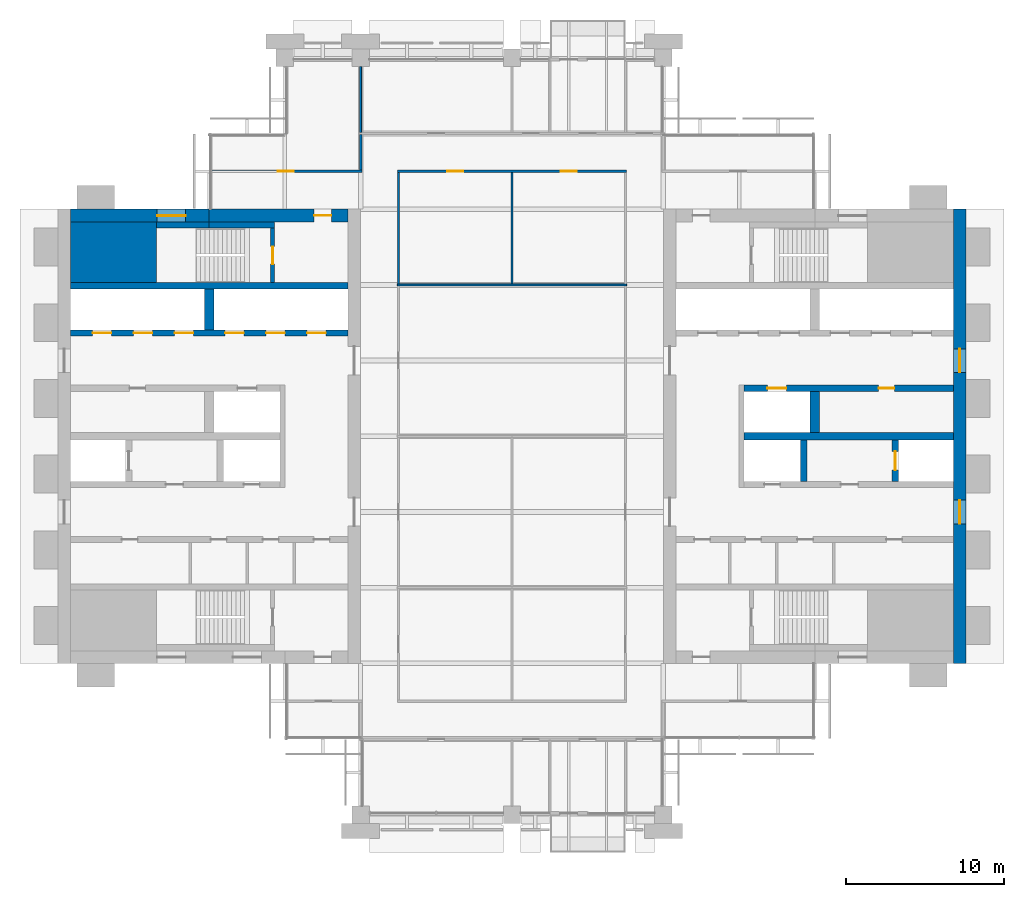
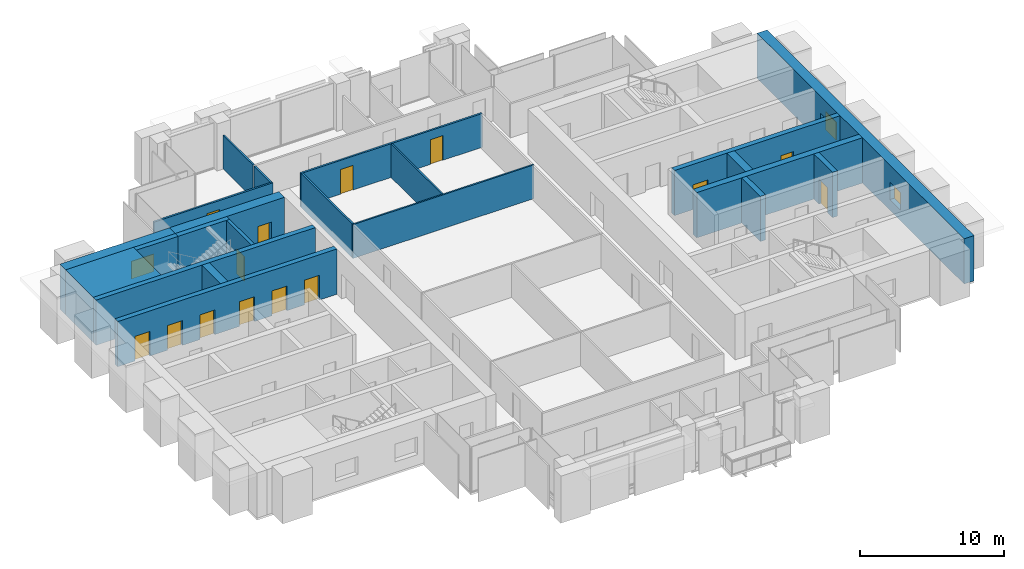
# One storey, part 10 of 14: 22 walls, 14 doors, 3 windows, 17 openings.
"""IFC4 building model written with IfcOpenShell, lengths in metres."""

import ifcopenshell
import ifcopenshell.guid

model = None  # the IFC model being written
_history = None  # IfcOwnerHistory: only IFC2X3 demands one
_inside = {}  # id of a spatial element -> (the spatial element, [elements in it])
_under = {}  # id of a project, library or spatial element -> (it, [spatial elements below it])
_declared = {}  # id of a project -> (the project, [libraries it declares])
_typed = {}  # id of a type object -> (the type object, [elements of that type])
_made_of = {}  # id of a material, layer set ... -> (it, [elements and type objects made of it])


def new_model(schema):
    """Start an empty IFC model of exactly this schema.

    Asked for "IFC4X3", IfcOpenShell would pick the latest addendum, in which some entities
    have other attributes; the version numbers below select the first issue.
    IFC2X3 requires an IfcOwnerHistory on every rooted entity: one is made here for all.
    """
    global model, _history
    if schema == "IFC4X3":
        model = ifcopenshell.file(schema_version=(4, 3, 0, 0))
    else:
        model = ifcopenshell.file(schema=schema)
    _inside.clear()
    _under.clear()
    _declared.clear()
    _typed.clear()
    _made_of.clear()
    _history = None
    if model.schema == "IFC2X3":
        org = make("IfcOrganization", Name="unknown")
        user = make(
            "IfcPersonAndOrganization",
            ThePerson=make("IfcPerson", FamilyName="unknown"),
            TheOrganization=org,
        )
        app = make(
            "IfcApplication",
            ApplicationDeveloper=org,
            Version="unknown",
            ApplicationFullName="unknown",
            ApplicationIdentifier="unknown",
        )
        _history = make(
            "IfcOwnerHistory",
            OwningUser=user,
            OwningApplication=app,
            ChangeAction="ADDED",
            CreationDate=0,
        )
    return model


def make(cls, **values):
    """One entity of the class cls with the attributes given. An attribute that is None is left unset."""
    return model.create_entity(
        cls, **{name: value for name, value in values.items() if value is not None}
    )


def rooted(cls, **values):
    """An entity with a GlobalId (a new one), such as an element, a storey or a relation."""
    return make(cls, GlobalId=ifcopenshell.guid.new(), OwnerHistory=_history, **values)


def si_unit(unit_type, name, prefix=None):
    """IfcSIUnit, for example si_unit("LENGTHUNIT", "METRE", prefix="MILLI")."""
    return make("IfcSIUnit", UnitType=unit_type, Prefix=prefix, Name=name)


def assignment(units):
    """IfcUnitAssignment: the units of a project."""
    return None if units is None else make("IfcUnitAssignment", Units=units)


def point(xyz):
    """IfcCartesianPoint."""
    return None if xyz is None else make("IfcCartesianPoint", Coordinates=xyz)


def direction(xyz):
    """IfcDirection."""
    return None if xyz is None else make("IfcDirection", DirectionRatios=xyz)


def frame(location, z_axis=None, x_axis=None):
    """IfcAxis2Placement3D, a coordinate frame: its origin and axes. An axis left out is left unset."""
    return make(
        "IfcAxis2Placement3D",
        Location=point(location),
        Axis=direction(z_axis),
        RefDirection=direction(x_axis),
    )


def frame_2d(location, x_axis=None):
    """IfcAxis2Placement2D, a coordinate frame in the plane: its origin and x axis."""
    return make(
        "IfcAxis2Placement2D", Location=point(location), RefDirection=direction(x_axis)
    )


def origin():
    """The frame at (0, 0, 0) with its axes left unset."""
    return frame((0.0, 0.0, 0.0))


def place(relative_to, where):
    """IfcLocalPlacement: puts the frame where relative to a parent placement (None: the world)."""
    return make(
        "IfcLocalPlacement", PlacementRelTo=relative_to, RelativePlacement=where
    )


def context(
    kind, dimensions, precision=None, world=None, true_north=None, identifier=None
):
    """IfcGeometricRepresentationContext, for example the 3D "Model" context."""
    return make(
        "IfcGeometricRepresentationContext",
        ContextIdentifier=identifier,
        ContextType=kind,
        CoordinateSpaceDimension=dimensions,
        Precision=precision,
        WorldCoordinateSystem=world,
        TrueNorth=true_north,
    )


def subcontext(parent, identifier, kind, view, scale=None):
    """IfcGeometricRepresentationSubContext, for example "Body" below "Model"."""
    return make(
        "IfcGeometricRepresentationSubContext",
        ContextIdentifier=identifier,
        ContextType=kind,
        ParentContext=parent,
        TargetScale=scale,
        TargetView=view,
    )


def project(units=None, contexts=None):
    """IfcProject with its units and contexts."""
    return rooted(
        "IfcProject",
        Name="project",
        RepresentationContexts=contexts,
        UnitsInContext=assignment(units),
    )


def spatial(cls, under=None, at=None, **own):
    """A site, building, storey or space (cls), placed at a placement, below another one or the project."""
    s = rooted(cls, ObjectPlacement=at, **own)
    if under is not None:
        _under.setdefault(under.id(), (under, []))[1].append(s)
    return s


def profile(cls, at=None, kind="AREA", **sizes):
    """A parametric profile (cls). Its sizes go by their IFC names, for example OverallWidth=200.0."""
    return make(cls, ProfileType=kind, Position=at, **sizes)


def rectangle(**sizes):
    """IfcRectangleProfileDef."""
    return profile("IfcRectangleProfileDef", **sizes)


def extrude(swept, where, along, depth):
    """IfcExtrudedAreaSolid: the profile swept, set in the frame where, extruded along a direction by depth."""
    return make(
        "IfcExtrudedAreaSolid",
        SweptArea=swept,
        Position=where,
        ExtrudedDirection=direction(along),
        Depth=depth,
    )


def shape(context_of_items, identifier, shape_type, items):
    """IfcShapeRepresentation: the items that make up one representation, for example the "Body"."""
    return make(
        "IfcShapeRepresentation",
        ContextOfItems=context_of_items,
        RepresentationIdentifier=identifier,
        RepresentationType=shape_type,
        Items=items,
    )


def material(Name=None, Category=None):
    """IfcMaterial."""
    return make("IfcMaterial", Name=Name, Category=Category)


def layer(
    of_material, thickness, ventilated=None, Name=None, Category=None, Priority=None
):
    """IfcMaterialLayer: one layer of a wall or slab, of a material (None: an air gap)."""
    return make(
        "IfcMaterialLayer",
        Material=of_material,
        LayerThickness=thickness,
        IsVentilated=ventilated,
        Name=Name,
        Category=Category,
        Priority=Priority,
    )


def layer_set(layers, Name=None):
    """IfcMaterialLayerSet."""
    return make("IfcMaterialLayerSet", MaterialLayers=layers, LayerSetName=Name)


def made_of(thing, what):
    """Note that an element or type object is made of a material, layer set ...; save() writes the relation."""
    if what is not None:
        _made_of.setdefault(what.id(), (what, []))[1].append(thing)
    return thing


def type_object(cls, material=None, **own):
    """A type object (cls), such as IfcWallType, which elements share."""
    return made_of(rooted(cls, **own), material)


def element(
    cls,
    number,
    at=None,
    inside=None,
    cuts=None,
    type_object=None,
    material=None,
    context=None,
    identifier="Body",
    shape_type=None,
    held_by="IfcProductDefinitionShape",
    body=None,
    shapes=None,
    **own,
):
    """One element of the class cls, such as IfcWall. Its Tag is "e" and its number.

    at: its placement. inside: the storey or other place that contains it. cuts: it is an
    opening in that element (IfcRelVoidsElement). A single representation is given by context,
    identifier, shape_type and body (its items); several are given by shapes. held_by: the class
    of the entity that holds the representations. save() writes the other relations.
    """
    e = rooted(cls, Tag="e%d" % number, ObjectPlacement=at, **own)
    if body is not None:
        shapes = [shape(context, identifier, shape_type, body)]
    if shapes is not None:
        e.Representation = make(held_by, Representations=shapes)
    if inside is not None:
        _inside.setdefault(inside.id(), (inside, []))[1].append(e)
    if cuts is not None:
        rooted(
            "IfcRelVoidsElement", RelatingBuildingElement=cuts, RelatedOpeningElement=e
        )
    if type_object is not None:
        _typed.setdefault(type_object.id(), (type_object, []))[1].append(e)
    return made_of(e, material)


def fill(opening, filler):
    """IfcRelFillsElement: the door or window that sits in an opening."""
    return rooted(
        "IfcRelFillsElement",
        RelatingOpeningElement=opening,
        RelatedBuildingElement=filler,
    )


def aggregate(whole, parts):
    """IfcRelAggregates: a whole, such as a stair, and the parts it consists of."""
    return rooted("IfcRelAggregates", RelatingObject=whole, RelatedObjects=parts)


def save(model, path):
    """Write the relations noted so far, then the file.

    IfcRelAggregates (storeys below a building ...), IfcRelContainedInSpatialStructure (elements
    in a storey), IfcRelDefinesByType, IfcRelAssociatesMaterial and IfcRelDeclares: one each for
    every whole, place, type object, material and project.
    """
    for whole, parts in _under.values():
        aggregate(whole, parts)
    for where, things in _inside.values():
        rooted(
            "IfcRelContainedInSpatialStructure",
            RelatedElements=things,
            RelatingStructure=where,
        )
    for kind, things in _typed.values():
        rooted("IfcRelDefinesByType", RelatedObjects=things, RelatingType=kind)
    for what, things in _made_of.values():
        rooted("IfcRelAssociatesMaterial", RelatedObjects=things, RelatingMaterial=what)
    for by, libraries in _declared.values():
        rooted("IfcRelDeclares", RelatingContext=by, RelatedDefinitions=libraries)
    model.write(path)


model = new_model("IFC4")

# Units and contexts
model_context = context("Model", 3, precision=1e-05, world=origin(), true_north=direction((0.0, 1.0)))
body_context = subcontext(model_context, "Body", "Model", "MODEL_VIEW")
ifc_project = project(units=[si_unit("LENGTHUNIT", "METRE"), si_unit("AREAUNIT", "SQUARE_METRE"), si_unit("VOLUMEUNIT", "CUBIC_METRE"), si_unit("PLANEANGLEUNIT", "RADIAN"), si_unit("MASSUNIT", "GRAM", prefix="KILO")], contexts=[model_context])

# Site, building, storey
site_placement = place(None, origin())
site = spatial("IfcSite", under=ifc_project, at=site_placement, CompositionType="ELEMENT")
building_placement = place(site_placement, origin())
building = spatial("IfcBuilding", under=site, at=building_placement, Name="Baori Bourse Tower", CompositionType="ELEMENT")
storey_placement = place(building_placement, frame((0.0, 0.0, 221.199951171875)))
storey = spatial("IfcBuildingStorey", under=building, at=storey_placement, Name="L48", CompositionType="ELEMENT", Elevation=221.199951171875)

# Wall
ifc_material_1 = material(Name="Concrete f'c 50 MPa", Category="concrete")
wall_type_1 = type_object("IfcWallType", Name="Core corner block f'c 50", PredefinedType="SHEAR", material=ifc_material_1)
wall_1_placement = place(storey_placement, frame((0.800048828125, 35.675048828125, 0.0), z_axis=(0.0, 0.0, 1.0), x_axis=(1.0, 0.0, 0.0)))
element("IfcWall", 1, at=wall_1_placement, inside=storey, type_object=wall_type_1, Name="Core wall W23", PredefinedType="SHEAR", context=body_context, shape_type="SweptSolid", body=[
    extrude(rectangle(XDim=5.449951171875, YDim=3.85009765625, at=frame_2d((2.72509765625, 0.0))), origin(), (0.0, 0.0, 1.0), 3.840087890625),
])

# Wall, opening, window
ifc_material_2 = material(Name="Concrete f'c 50 MPa", Category="concrete")
ifc_layer_1 = layer(ifc_material_2, 0.800048828125)
ifc_layer_set_1 = layer_set([ifc_layer_1], Name="Core wall 800 f'c 50")
wall_type_2 = type_object("IfcWallType", Name="Core wall 800 f'c 50", PredefinedType="SHEAR", material=ifc_layer_set_1)
wall_2_placement = place(storey_placement, frame((0.800048828125, 38.0, 0.0), z_axis=(0.0, 0.0, 1.0), x_axis=(1.0, 0.0, 0.0)))
wall_2 = element("IfcWall", 2, at=wall_2_placement, inside=storey, type_object=wall_type_2, Name="Core wall W27", PredefinedType="SHEAR", context=body_context, shape_type="SweptSolid", body=[
    extrude(rectangle(XDim=8.800048828125, YDim=0.800048828125, at=frame_2d((4.39990234375, 0.0))), origin(), (0.0, 0.0, 1.0), 3.840087890625),
])
opening_1_placement = place(wall_2_placement, frame((5.5, 0.0, 0.89990234375)))
opening_1 = element("IfcOpeningElement", 3, at=opening_1_placement, cuts=wall_2, Name="Opening L48-KW105", PredefinedType="OPENING", context=body_context, shape_type="SweptSolid", body=[
    extrude(rectangle(XDim=1.800048828125, YDim=1.5, at=frame_2d((0.89990234375, 0.75))), frame((0.0, 0.409912109375, 0.0), z_axis=(0.0, -1.0, 0.0), x_axis=(1.0, 0.0, 0.0)), (0.0, 0.0, 1.0), 0.820068359375),
])
ifc_material_3 = material(Name="Pale anodised aluminium", Category="aluminium")
window_type_1 = type_object("IfcWindowType", Name="Stair window 1800 x 1500", PartitioningType="SINGLE_PANEL", PredefinedType="WINDOW", material=ifc_material_3)
window_1_placement = place(opening_1_placement, origin())
window_1 = element("IfcWindow", 4, at=window_1_placement, inside=storey, type_object=window_type_1, Name="Stair window W L48 5", OverallHeight=1.5, OverallWidth=1.800048828125, PartitioningType="SINGLE_PANEL", PredefinedType="WINDOW", context=body_context, shape_type="SweptSolid", body=[
    extrude(rectangle(XDim=1.800048828125, YDim=1.5, at=frame_2d((0.89990234375, 0.75))), frame((0.0, 0.030029296875, 0.0), z_axis=(0.0, -1.0, 0.0), x_axis=(1.0, 0.0, 0.0)), (0.0, 0.0, 1.0), 0.06005859375),
])
fill(opening_1, window_1)

# Wall, opening, door
wall_3_placement = place(storey_placement, frame((9.60009765625, 38.0, 0.0), z_axis=(0.0, 0.0, 1.0), x_axis=(1.0, 0.0, 0.0)))
wall_3 = element("IfcWall", 5, at=wall_3_placement, inside=storey, type_object=wall_type_2, Name="Core wall W28", PredefinedType="SHEAR", context=body_context, shape_type="SweptSolid", body=[
    extrude(rectangle(XDim=8.7998046875, YDim=0.800048828125, at=frame_2d((4.39990234375, 0.0))), origin(), (0.0, 0.0, 1.0), 3.840087890625),
])
opening_2_placement = place(wall_3_placement, frame((6.64990234375, 0.0, 0.0)))
opening_2 = element("IfcOpeningElement", 6, at=opening_2_placement, cuts=wall_3, Name="Opening L48-D104", PredefinedType="OPENING", context=body_context, shape_type="SweptSolid", body=[
    extrude(rectangle(XDim=1.10009765625, YDim=2.10009765625, at=frame_2d((0.550048828125, 1.050048828125))), frame((0.0, 0.409912109375, 0.0), z_axis=(0.0, -1.0, 0.0), x_axis=(1.0, 0.0, 0.0)), (0.0, 0.0, 1.0), 0.820068359375),
])
ifc_material_4 = material(Name="Painted steel door", Category="steel")
door_type_1 = type_object("IfcDoorType", Name="Stair door 1100", OperationType="SINGLE_SWING_LEFT", PredefinedType="DOOR", material=ifc_material_4)
door_1_placement = place(opening_2_placement, origin())
door_1 = element("IfcDoor", 7, at=door_1_placement, inside=storey, type_object=door_type_1, Name="Stair vestibule door B W L48", OperationType="SINGLE_SWING_LEFT", OverallHeight=2.10009765625, OverallWidth=1.10009765625, PredefinedType="DOOR", context=body_context, shape_type="SweptSolid", body=[
    extrude(rectangle(XDim=1.10009765625, YDim=2.10009765625, at=frame_2d((0.550048828125, 1.050048828125))), frame((0.0, 0.02490234375, 0.0), z_axis=(0.0, -1.0, 0.0), x_axis=(1.0, 0.0, 0.0)), (0.0, 0.0, 1.0), 0.050048828125),
])
fill(opening_2, door_1)

# Wall, openings, windows
wall_4_placement = place(storey_placement, frame((57.199951171875, 38.39990234375, 0.0), z_axis=(0.0, 0.0, 1.0), x_axis=(0.0, -1.0, 0.0)))
wall_4 = element("IfcWall", 8, at=wall_4_placement, inside=storey, type_object=wall_type_2, Name="Core wall E01", PredefinedType="SHEAR", context=body_context, shape_type="SweptSolid", body=[
    extrude(rectangle(XDim=28.7998046875, YDim=0.800048828125, at=frame_2d((14.39990234375, 0.0))), origin(), (0.0, 0.0, 1.0), 3.840087890625),
])
opening_3_placement = place(wall_4_placement, frame((18.449951171875, 0.0, 0.89990234375)))
opening_3 = element("IfcOpeningElement", 9, at=opening_3_placement, cuts=wall_4, Name="Opening L48-KW201", PredefinedType="OPENING", context=body_context, shape_type="SweptSolid", body=[
    extrude(rectangle(XDim=1.5, YDim=1.5, at=frame_2d((0.75, 0.75))), frame((0.0, 0.409912109375, 0.0), z_axis=(0.0, -1.0, 0.0), x_axis=(1.0, 0.0, 0.0)), (0.0, 0.0, 1.0), 0.820068359375),
])
opening_4_placement = place(wall_4_placement, frame((8.85009765625, 0.0, 0.89990234375)))
opening_4 = element("IfcOpeningElement", 10, at=opening_4_placement, cuts=wall_4, Name="Opening L48-KW202", PredefinedType="OPENING", context=body_context, shape_type="SweptSolid", body=[
    extrude(rectangle(XDim=1.5, YDim=1.5, at=frame_2d((0.75, 0.75))), frame((0.0, 0.409912109375, 0.0), z_axis=(0.0, -1.0, 0.0), x_axis=(1.0, 0.0, 0.0)), (0.0, 0.0, 1.0), 0.820068359375),
])
ifc_material_5 = material(Name="Pale anodised aluminium", Category="aluminium")
window_type_2 = type_object("IfcWindowType", Name="Lobby window 1500 x 1500", PartitioningType="SINGLE_PANEL", PredefinedType="WINDOW", material=ifc_material_5)
window_2_placement = place(opening_3_placement, origin())
window_2 = element("IfcWindow", 11, at=window_2_placement, inside=storey, type_object=window_type_2, Name="Outer wall window E L48 1", OverallHeight=1.5, OverallWidth=1.5, PartitioningType="SINGLE_PANEL", PredefinedType="WINDOW", context=body_context, shape_type="SweptSolid", body=[
    extrude(rectangle(XDim=1.5, YDim=1.5, at=frame_2d((0.75, 0.75))), frame((0.0, 0.030029296875, 0.0), z_axis=(0.0, -1.0, 0.0), x_axis=(1.0, 0.0, 0.0)), (0.0, 0.0, 1.0), 0.06005859375),
])
fill(opening_3, window_2)
window_3_placement = place(opening_4_placement, origin())
window_3 = element("IfcWindow", 12, at=window_3_placement, inside=storey, type_object=window_type_2, Name="Outer wall window E L48 2", OverallHeight=1.5, OverallWidth=1.5, PartitioningType="SINGLE_PANEL", PredefinedType="WINDOW", context=body_context, shape_type="SweptSolid", body=[
    extrude(rectangle(XDim=1.5, YDim=1.5, at=frame_2d((0.75, 0.75))), frame((0.0, 0.030029296875, 0.0), z_axis=(0.0, -1.0, 0.0), x_axis=(1.0, 0.0, 0.0)), (0.0, 0.0, 1.0), 0.06005859375),
])
fill(opening_4, window_3)

# Wall, opening, door
ifc_material_6 = material(Name="Gypsum board partition")
ifc_layer_2 = layer(ifc_material_6, 0.14990234375)
ifc_layer_set_2 = layer_set([ifc_layer_2], Name="Corridor partition 150")
wall_type_3 = type_object("IfcWallType", Name="Corridor partition 150", PredefinedType="PARTITIONING", material=ifc_layer_set_2)
wall_5_placement = place(storey_placement, frame((9.699951171875, 40.800048828125, 0.0), z_axis=(0.0, 0.0, 1.0), x_axis=(1.0, 0.0, 0.0)))
wall_5 = element("IfcWall", 13, at=wall_5_placement, inside=storey, type_object=wall_type_3, Name="Partition", PredefinedType="PARTITIONING", context=body_context, shape_type="SweptSolid", body=[
    extrude(rectangle(XDim=9.574951171875, YDim=0.14990234375, at=frame_2d((4.78759765625, 0.0))), origin(), (0.0, 0.0, 1.0), 2.869873046875),
])
opening_5_placement = place(wall_5_placement, frame((4.25, 0.0, 0.0)))
opening_5 = element("IfcOpeningElement", 14, at=opening_5_placement, cuts=wall_5, Name="Opening L48-D07", PredefinedType="OPENING", context=body_context, shape_type="SweptSolid", body=[
    extrude(rectangle(XDim=1.0, YDim=2.10009765625, at=frame_2d((0.5, 1.050048828125))), frame((0.0, 0.0849609375, 0.0), z_axis=(0.0, -1.0, 0.0), x_axis=(1.0, 0.0, 0.0)), (0.0, 0.0, 1.0), 0.169921875),
])
ifc_material_7 = material(Name="Timber door leaf", Category="wood")
door_type_2 = type_object("IfcDoorType", Name="Door 1000 x 2100", OperationType="SINGLE_SWING_LEFT", PredefinedType="DOOR", material=ifc_material_7)
door_2_placement = place(opening_5_placement, origin())
door_2 = element("IfcDoor", 15, at=door_2_placement, inside=storey, type_object=door_type_2, Name="Door", OperationType="SINGLE_SWING_RIGHT", OverallHeight=2.10009765625, OverallWidth=1.0, PredefinedType="DOOR", context=body_context, shape_type="SweptSolid", body=[
    extrude(rectangle(XDim=1.0, YDim=2.10009765625, at=frame_2d((0.5, 1.050048828125))), frame((0.0, 0.02490234375, 0.0), z_axis=(0.0, -1.0, 0.0), x_axis=(1.0, 0.0, 0.0)), (0.0, 0.0, 1.0), 0.050048828125),
])
fill(opening_5, door_2)

# Wall, openings, doors
wall_6_placement = place(storey_placement, frame((21.52490234375, 40.800048828125, 0.0), z_axis=(0.0, 0.0, 1.0), x_axis=(1.0, 0.0, 0.0)))
wall_6 = element("IfcWall", 16, at=wall_6_placement, inside=storey, type_object=wall_type_3, Name="Partition", PredefinedType="PARTITIONING", context=body_context, shape_type="SweptSolid", body=[
    extrude(rectangle(XDim=14.550048828125, YDim=0.14990234375, at=frame_2d((7.27490234375, 0.0))), origin(), (0.0, 0.0, 1.0), 2.869873046875),
])
opening_6_placement = place(wall_6_placement, frame((3.175048828125, 0.0, 0.0)))
opening_6 = element("IfcOpeningElement", 17, at=opening_6_placement, cuts=wall_6, Name="Opening L48-D08", PredefinedType="OPENING", context=body_context, shape_type="SweptSolid", body=[
    extrude(rectangle(XDim=1.0, YDim=2.10009765625, at=frame_2d((0.5, 1.050048828125))), frame((0.0, 0.0849609375, 0.0), z_axis=(0.0, -1.0, 0.0), x_axis=(1.0, 0.0, 0.0)), (0.0, 0.0, 1.0), 0.169921875),
])
opening_7_placement = place(wall_6_placement, frame((10.375, 0.0, 0.0)))
opening_7 = element("IfcOpeningElement", 18, at=opening_7_placement, cuts=wall_6, Name="Opening L48-D09", PredefinedType="OPENING", context=body_context, shape_type="SweptSolid", body=[
    extrude(rectangle(XDim=1.0, YDim=2.10009765625, at=frame_2d((0.5, 1.050048828125))), frame((0.0, 0.0849609375, 0.0), z_axis=(0.0, -1.0, 0.0), x_axis=(1.0, 0.0, 0.0)), (0.0, 0.0, 1.0), 0.169921875),
])
door_3_placement = place(opening_6_placement, origin())
door_3 = element("IfcDoor", 19, at=door_3_placement, inside=storey, type_object=door_type_2, Name="Door", OperationType="SINGLE_SWING_LEFT", OverallHeight=2.10009765625, OverallWidth=1.0, PredefinedType="DOOR", context=body_context, shape_type="SweptSolid", body=[
    extrude(rectangle(XDim=1.0, YDim=2.10009765625, at=frame_2d((0.5, 1.050048828125))), frame((0.0, 0.02490234375, 0.0), z_axis=(0.0, -1.0, 0.0), x_axis=(1.0, 0.0, 0.0)), (0.0, 0.0, 1.0), 0.050048828125),
])
fill(opening_6, door_3)
door_4_placement = place(opening_7_placement, origin())
door_4 = element("IfcDoor", 20, at=door_4_placement, inside=storey, type_object=door_type_2, Name="Door", OperationType="SINGLE_SWING_RIGHT", OverallHeight=2.10009765625, OverallWidth=1.0, PredefinedType="DOOR", context=body_context, shape_type="SweptSolid", body=[
    extrude(rectangle(XDim=1.0, YDim=2.10009765625, at=frame_2d((0.5, 1.050048828125))), frame((0.0, 0.02490234375, 0.0), z_axis=(0.0, -1.0, 0.0), x_axis=(1.0, 0.0, 0.0)), (0.0, 0.0, 1.0), 0.050048828125),
])
fill(opening_7, door_4)

# Walls
wall_7_placement = place(storey_placement, frame((19.199951171875, 40.875, 0.0), z_axis=(0.0, 0.0, 1.0), x_axis=(0.0, 1.0, 0.0)))
element("IfcWall", 21, at=wall_7_placement, inside=storey, type_object=wall_type_3, Name="Partition", PredefinedType="PARTITIONING", context=body_context, shape_type="SweptSolid", body=[
    extrude(rectangle(XDim=2.25, YDim=0.14990234375, at=frame_2d((1.125, 0.0))), origin(), (0.0, 0.0, 1.0), 2.869873046875),
])
wall_8_placement = place(storey_placement, frame((21.60009765625, 33.66259765625, 0.0), z_axis=(0.0, 0.0, 1.0), x_axis=(0.0, 1.0, 0.0)))
element("IfcWall", 22, at=wall_8_placement, inside=storey, type_object=wall_type_3, Name="Partition", PredefinedType="PARTITIONING", context=body_context, shape_type="SweptSolid", body=[
    extrude(rectangle(XDim=7.0625, YDim=0.14990234375, at=frame_2d((3.53125, 0.0))), origin(), (0.0, 0.0, 1.0), 2.869873046875),
])
ifc_material_8 = material(Name="Gypsum board partition")
ifc_layer_3 = layer(ifc_material_8, 0.125)
ifc_layer_set_3 = layer_set([ifc_layer_3], Name="Partition 125")
wall_type_4 = type_object("IfcWallType", Name="Partition 125", PredefinedType="PARTITIONING", material=ifc_layer_set_3)
wall_9_placement = place(storey_placement, frame((21.52490234375, 33.60009765625, 0.0), z_axis=(0.0, 0.0, 1.0), x_axis=(1.0, 0.0, 0.0)))
element("IfcWall", 23, at=wall_9_placement, inside=storey, type_object=wall_type_4, Name="Partition", PredefinedType="PARTITIONING", context=body_context, shape_type="SweptSolid", body=[
    extrude(rectangle(XDim=14.550048828125, YDim=0.125, at=frame_2d((7.27490234375, 0.0))), origin(), (0.0, 0.0, 1.0), 2.869873046875),
])
wall_10_placement = place(storey_placement, frame((19.199951171875, 43.27490234375, 0.0), z_axis=(0.0, 0.0, 1.0), x_axis=(0.0, 1.0, 0.0)))
element("IfcWall", 24, at=wall_10_placement, inside=storey, type_object=wall_type_4, Name="Partition", PredefinedType="PARTITIONING", context=body_context, shape_type="SweptSolid", body=[
    extrude(rectangle(XDim=4.175048828125, YDim=0.125, at=frame_2d((2.08740234375, 0.0))), origin(), (0.0, 0.0, 1.0), 2.869873046875),
])
wall_11_placement = place(storey_placement, frame((28.800048828125, 33.66259765625, 0.0), z_axis=(0.0, 0.0, 1.0), x_axis=(0.0, 1.0, 0.0)))
element("IfcWall", 25, at=wall_11_placement, inside=storey, type_object=wall_type_4, Name="Partition", PredefinedType="PARTITIONING", context=body_context, shape_type="SweptSolid", body=[
    extrude(rectangle(XDim=7.0625, YDim=0.125, at=frame_2d((3.53125, 0.0))), origin(), (0.0, 0.0, 1.0), 2.869873046875),
])

# Wall, opening, door
ifc_material_9 = material(Name="Concrete f'c 50 MPa", Category="concrete")
ifc_layer_4 = layer(ifc_material_9, 0.25)
ifc_layer_set_4 = layer_set([ifc_layer_4], Name="Shaft wall 250 f'c 50")
wall_type_5 = type_object("IfcWallType", Name="Shaft wall 250 f'c 50", PredefinedType="SHEAR", material=ifc_layer_set_4)
wall_12_placement = place(storey_placement, frame((13.625, 33.75, 0.0), z_axis=(0.0, 0.0, 1.0), x_axis=(0.0, 1.0, 0.0)))
wall_12 = element("IfcWall", 26, at=wall_12_placement, inside=storey, type_object=wall_type_5, Name="Core wall W24", PredefinedType="SHEAR", context=body_context, shape_type="SweptSolid", body=[
    extrude(rectangle(XDim=3.449951171875, YDim=0.25, at=frame_2d((1.72509765625, 0.0))), origin(), (0.0, 0.0, 1.0), 3.840087890625),
])
opening_8_placement = place(wall_12_placement, frame((1.175048828125, 0.0, 0.0)))
opening_8 = element("IfcOpeningElement", 27, at=opening_8_placement, cuts=wall_12, Name="Opening L48-D103", PredefinedType="OPENING", context=body_context, shape_type="SweptSolid", body=[
    extrude(rectangle(XDim=1.10009765625, YDim=2.10009765625, at=frame_2d((0.550048828125, 1.050048828125))), frame((0.0, 0.135009765625, 0.0), z_axis=(0.0, -1.0, 0.0), x_axis=(1.0, 0.0, 0.0)), (0.0, 0.0, 1.0), 0.27001953125),
])
door_5_placement = place(opening_8_placement, origin())
door_5 = element("IfcDoor", 28, at=door_5_placement, inside=storey, type_object=door_type_1, Name="Stair door B W L48", OperationType="SINGLE_SWING_LEFT", OverallHeight=2.10009765625, OverallWidth=1.10009765625, PredefinedType="DOOR", context=body_context, shape_type="SweptSolid", body=[
    extrude(rectangle(XDim=1.10009765625, YDim=2.10009765625, at=frame_2d((0.550048828125, 1.050048828125))), frame((0.0, 0.02490234375, 0.0), z_axis=(0.0, -1.0, 0.0), x_axis=(1.0, 0.0, 0.0)), (0.0, 0.0, 1.0), 0.050048828125),
])
fill(opening_8, door_5)

# Wall, openings, doors
ifc_material_10 = material(Name="Concrete f'c 50 MPa", Category="concrete")
ifc_layer_5 = layer(ifc_material_10, 0.39990234375)
ifc_layer_set_5 = layer_set([ifc_layer_5], Name="Shaft wall 400 f'c 50")
wall_type_6 = type_object("IfcWallType", Name="Shaft wall 400 f'c 50", PredefinedType="SHEAR", material=ifc_layer_set_5)
wall_13_placement = place(storey_placement, frame((0.800048828125, 30.550048828125, 0.0), z_axis=(0.0, 0.0, 1.0), x_axis=(1.0, 0.0, 0.0)))
wall_13 = element("IfcWall", 29, at=wall_13_placement, inside=storey, type_object=wall_type_6, Name="Core wall W20", PredefinedType="SHEAR", context=body_context, shape_type="SweptSolid", body=[
    extrude(rectangle(XDim=17.599853515625, YDim=0.39990234375, at=frame_2d((8.7998046875, 0.0))), origin(), (0.0, 0.0, 1.0), 3.840087890625),
])
opening_9_placement = place(wall_13_placement, frame((1.39990234375, 0.0, 0.0)))
opening_9 = element("IfcOpeningElement", 30, at=opening_9_placement, cuts=wall_13, Name="Opening L48-D114", PredefinedType="OPENING", context=body_context, shape_type="SweptSolid", body=[
    extrude(rectangle(XDim=1.199951171875, YDim=2.10009765625, at=frame_2d((0.60009765625, 1.050048828125))), frame((0.0, 0.2099609375, 0.0), z_axis=(0.0, -1.0, 0.0), x_axis=(1.0, 0.0, 0.0)), (0.0, 0.0, 1.0), 0.419921875),
])
opening_10_placement = place(wall_13_placement, frame((4.0, 0.0, 0.0)))
opening_10 = element("IfcOpeningElement", 31, at=opening_10_placement, cuts=wall_13, Name="Opening L48-D115", PredefinedType="OPENING", context=body_context, shape_type="SweptSolid", body=[
    extrude(rectangle(XDim=1.199951171875, YDim=2.10009765625, at=frame_2d((0.60009765625, 1.050048828125))), frame((0.0, 0.2099609375, 0.0), z_axis=(0.0, -1.0, 0.0), x_axis=(1.0, 0.0, 0.0)), (0.0, 0.0, 1.0), 0.419921875),
])
opening_11_placement = place(wall_13_placement, frame((6.60009765625, 0.0, 0.0)))
opening_11 = element("IfcOpeningElement", 32, at=opening_11_placement, cuts=wall_13, Name="Opening L48-D116", PredefinedType="OPENING", context=body_context, shape_type="SweptSolid", body=[
    extrude(rectangle(XDim=1.199951171875, YDim=2.10009765625, at=frame_2d((0.60009765625, 1.050048828125))), frame((0.0, 0.2099609375, 0.0), z_axis=(0.0, -1.0, 0.0), x_axis=(1.0, 0.0, 0.0)), (0.0, 0.0, 1.0), 0.419921875),
])
opening_12_placement = place(wall_13_placement, frame((9.800048828125, 0.0, 0.0)))
opening_12 = element("IfcOpeningElement", 33, at=opening_12_placement, cuts=wall_13, Name="Opening L48-D117", PredefinedType="OPENING", context=body_context, shape_type="SweptSolid", body=[
    extrude(rectangle(XDim=1.199951171875, YDim=2.10009765625, at=frame_2d((0.60009765625, 1.050048828125))), frame((0.0, 0.2099609375, 0.0), z_axis=(0.0, -1.0, 0.0), x_axis=(1.0, 0.0, 0.0)), (0.0, 0.0, 1.0), 0.419921875),
])
opening_13_placement = place(wall_13_placement, frame((12.39990234375, 0.0, 0.0)))
opening_13 = element("IfcOpeningElement", 34, at=opening_13_placement, cuts=wall_13, Name="Opening L48-D118", PredefinedType="OPENING", context=body_context, shape_type="SweptSolid", body=[
    extrude(rectangle(XDim=1.199951171875, YDim=2.10009765625, at=frame_2d((0.60009765625, 1.050048828125))), frame((0.0, 0.2099609375, 0.0), z_axis=(0.0, -1.0, 0.0), x_axis=(1.0, 0.0, 0.0)), (0.0, 0.0, 1.0), 0.419921875),
])
opening_14_placement = place(wall_13_placement, frame((15.0, 0.0, 0.0)))
opening_14 = element("IfcOpeningElement", 35, at=opening_14_placement, cuts=wall_13, Name="Opening L48-D119", PredefinedType="OPENING", context=body_context, shape_type="SweptSolid", body=[
    extrude(rectangle(XDim=1.199951171875, YDim=2.10009765625, at=frame_2d((0.60009765625, 1.050048828125))), frame((0.0, 0.2099609375, 0.0), z_axis=(0.0, -1.0, 0.0), x_axis=(1.0, 0.0, 0.0)), (0.0, 0.0, 1.0), 0.419921875),
])
ifc_material_11 = material(Name="Stainless steel door", Category="steel")
door_type_3 = type_object("IfcDoorType", Name="Lift landing door", OperationType="DOUBLE_DOOR_SLIDING", PredefinedType="DOOR", material=ifc_material_11)
door_6_placement = place(opening_9_placement, origin())
door_6 = element("IfcDoor", 36, at=door_6_placement, inside=storey, type_object=door_type_3, Name="Lift landing door HR1 W L48", OperationType="DOUBLE_DOOR_SLIDING", OverallHeight=2.10009765625, OverallWidth=1.199951171875, PredefinedType="DOOR", context=body_context, shape_type="SweptSolid", body=[
    extrude(rectangle(XDim=1.199951171875, YDim=2.10009765625, at=frame_2d((0.60009765625, 1.050048828125))), frame((0.0, 0.02490234375, 0.0), z_axis=(0.0, -1.0, 0.0), x_axis=(1.0, 0.0, 0.0)), (0.0, 0.0, 1.0), 0.050048828125),
])
fill(opening_9, door_6)
door_7_placement = place(opening_10_placement, origin())
door_7 = element("IfcDoor", 37, at=door_7_placement, inside=storey, type_object=door_type_3, Name="Lift landing door HR2 W L48", OperationType="DOUBLE_DOOR_SLIDING", OverallHeight=2.10009765625, OverallWidth=1.199951171875, PredefinedType="DOOR", context=body_context, shape_type="SweptSolid", body=[
    extrude(rectangle(XDim=1.199951171875, YDim=2.10009765625, at=frame_2d((0.60009765625, 1.050048828125))), frame((0.0, 0.02490234375, 0.0), z_axis=(0.0, -1.0, 0.0), x_axis=(1.0, 0.0, 0.0)), (0.0, 0.0, 1.0), 0.050048828125),
])
fill(opening_10, door_7)
door_8_placement = place(opening_11_placement, origin())
door_8 = element("IfcDoor", 38, at=door_8_placement, inside=storey, type_object=door_type_3, Name="Lift landing door HR3 W L48", OperationType="DOUBLE_DOOR_SLIDING", OverallHeight=2.10009765625, OverallWidth=1.199951171875, PredefinedType="DOOR", context=body_context, shape_type="SweptSolid", body=[
    extrude(rectangle(XDim=1.199951171875, YDim=2.10009765625, at=frame_2d((0.60009765625, 1.050048828125))), frame((0.0, 0.02490234375, 0.0), z_axis=(0.0, -1.0, 0.0), x_axis=(1.0, 0.0, 0.0)), (0.0, 0.0, 1.0), 0.050048828125),
])
fill(opening_11, door_8)
door_9_placement = place(opening_12_placement, origin())
door_9 = element("IfcDoor", 39, at=door_9_placement, inside=storey, type_object=door_type_3, Name="Lift landing door HR4 W L48", OperationType="DOUBLE_DOOR_SLIDING", OverallHeight=2.10009765625, OverallWidth=1.199951171875, PredefinedType="DOOR", context=body_context, shape_type="SweptSolid", body=[
    extrude(rectangle(XDim=1.199951171875, YDim=2.10009765625, at=frame_2d((0.60009765625, 1.050048828125))), frame((0.0, 0.02490234375, 0.0), z_axis=(0.0, -1.0, 0.0), x_axis=(1.0, 0.0, 0.0)), (0.0, 0.0, 1.0), 0.050048828125),
])
fill(opening_12, door_9)
door_10_placement = place(opening_13_placement, origin())
door_10 = element("IfcDoor", 40, at=door_10_placement, inside=storey, type_object=door_type_3, Name="Lift landing door HR5 W L48", OperationType="DOUBLE_DOOR_SLIDING", OverallHeight=2.10009765625, OverallWidth=1.199951171875, PredefinedType="DOOR", context=body_context, shape_type="SweptSolid", body=[
    extrude(rectangle(XDim=1.199951171875, YDim=2.10009765625, at=frame_2d((0.60009765625, 1.050048828125))), frame((0.0, 0.02490234375, 0.0), z_axis=(0.0, -1.0, 0.0), x_axis=(1.0, 0.0, 0.0)), (0.0, 0.0, 1.0), 0.050048828125),
])
fill(opening_13, door_10)
door_11_placement = place(opening_14_placement, origin())
door_11 = element("IfcDoor", 41, at=door_11_placement, inside=storey, type_object=door_type_3, Name="Lift landing door HR6 W L48", OperationType="DOUBLE_DOOR_SLIDING", OverallHeight=2.10009765625, OverallWidth=1.199951171875, PredefinedType="DOOR", context=body_context, shape_type="SweptSolid", body=[
    extrude(rectangle(XDim=1.199951171875, YDim=2.10009765625, at=frame_2d((0.60009765625, 1.050048828125))), frame((0.0, 0.02490234375, 0.0), z_axis=(0.0, -1.0, 0.0), x_axis=(1.0, 0.0, 0.0)), (0.0, 0.0, 1.0), 0.050048828125),
])
fill(opening_14, door_11)

# Walls
wall_14_placement = place(storey_placement, frame((0.800048828125, 33.550048828125, 0.0), z_axis=(0.0, 0.0, 1.0), x_axis=(1.0, 0.0, 0.0)))
element("IfcWall", 42, at=wall_14_placement, inside=storey, type_object=wall_type_6, Name="Core wall W22", PredefinedType="SHEAR", context=body_context, shape_type="SweptSolid", body=[
    extrude(rectangle(XDim=17.599853515625, YDim=0.39990234375, at=frame_2d((8.7998046875, 0.0))), origin(), (0.0, 0.0, 1.0), 3.840087890625),
])
wall_15_placement = place(storey_placement, frame((6.25, 37.39990234375, 0.0), z_axis=(0.0, 0.0, 1.0), x_axis=(1.0, 0.0, 0.0)))
element("IfcWall", 43, at=wall_15_placement, inside=storey, type_object=wall_type_6, Name="Core wall W25", PredefinedType="SHEAR", context=body_context, shape_type="SweptSolid", body=[
    extrude(rectangle(XDim=3.35009765625, YDim=0.39990234375, at=frame_2d((1.675048828125, 0.0))), origin(), (0.0, 0.0, 1.0), 3.840087890625),
])
wall_16_placement = place(storey_placement, frame((9.60009765625, 37.39990234375, 0.0), z_axis=(0.0, 0.0, 1.0), x_axis=(1.0, 0.0, 0.0)))
element("IfcWall", 44, at=wall_16_placement, inside=storey, type_object=wall_type_6, Name="Core wall W26", PredefinedType="SHEAR", context=body_context, shape_type="SweptSolid", body=[
    extrude(rectangle(XDim=4.14990234375, YDim=0.39990234375, at=frame_2d((2.074951171875, 0.0))), origin(), (0.0, 0.0, 1.0), 3.840087890625),
])

# Wall, opening, door
wall_17_placement = place(storey_placement, frame((53.10009765625, 21.14990234375, 0.0), z_axis=(0.0, 0.0, 1.0), x_axis=(0.0, 1.0, 0.0)))
wall_17 = element("IfcWall", 45, at=wall_17_placement, inside=storey, type_object=wall_type_6, Name="Core wall E16", PredefinedType="SHEAR", context=body_context, shape_type="SweptSolid", body=[
    extrude(rectangle(XDim=2.60009765625, YDim=0.39990234375, at=frame_2d((1.300048828125, 0.0))), origin(), (0.0, 0.0, 1.0), 3.840087890625),
])
opening_15_placement = place(wall_17_placement, frame((0.699951171875, 0.0, 0.0)))
opening_15 = element("IfcOpeningElement", 46, at=opening_15_placement, cuts=wall_17, Name="Opening L48-D221", PredefinedType="OPENING", context=body_context, shape_type="SweptSolid", body=[
    extrude(rectangle(XDim=1.199951171875, YDim=2.10009765625, at=frame_2d((0.60009765625, 1.050048828125))), frame((0.0, 0.2099609375, 0.0), z_axis=(0.0, -1.0, 0.0), x_axis=(1.0, 0.0, 0.0)), (0.0, 0.0, 1.0), 0.419921875),
])
door_12_placement = place(opening_15_placement, origin())
door_12 = element("IfcDoor", 47, at=door_12_placement, inside=storey, type_object=door_type_3, Name="Lift landing door FF2 E L48", OperationType="DOUBLE_DOOR_SLIDING", OverallHeight=2.10009765625, OverallWidth=1.199951171875, PredefinedType="DOOR", context=body_context, shape_type="SweptSolid", body=[
    extrude(rectangle(XDim=1.199951171875, YDim=2.10009765625, at=frame_2d((0.60009765625, 1.050048828125))), frame((0.0, 0.02490234375, 0.0), z_axis=(0.0, -1.0, 0.0), x_axis=(1.0, 0.0, 0.0)), (0.0, 0.0, 1.0), 0.050048828125),
])
fill(opening_15, door_12)

# Wall
wall_18_placement = place(storey_placement, frame((47.300048828125, 21.14990234375, 0.0), z_axis=(0.0, 0.0, 1.0), x_axis=(0.0, 1.0, 0.0)))
element("IfcWall", 48, at=wall_18_placement, inside=storey, type_object=wall_type_6, Name="Core wall E17", PredefinedType="SHEAR", context=body_context, shape_type="SweptSolid", body=[
    extrude(rectangle(XDim=2.60009765625, YDim=0.39990234375, at=frame_2d((1.300048828125, 0.0))), origin(), (0.0, 0.0, 1.0), 3.840087890625),
])

# Wall, openings, doors
wall_19_placement = place(storey_placement, frame((43.5, 27.050048828125, 0.0), z_axis=(0.0, 0.0, 1.0), x_axis=(1.0, 0.0, 0.0)))
wall_19 = element("IfcWall", 49, at=wall_19_placement, inside=storey, type_object=wall_type_6, Name="Core wall E20", PredefinedType="SHEAR", context=body_context, shape_type="SweptSolid", body=[
    extrude(rectangle(XDim=13.300048828125, YDim=0.39990234375, at=frame_2d((6.64990234375, 0.0))), origin(), (0.0, 0.0, 1.0), 3.840087890625),
])
opening_16_placement = place(wall_19_placement, frame((8.550048828125, 0.0, 0.0)))
opening_16 = element("IfcOpeningElement", 50, at=opening_16_placement, cuts=wall_19, Name="Opening L48-D213", PredefinedType="OPENING", context=body_context, shape_type="SweptSolid", body=[
    extrude(rectangle(XDim=1.0, YDim=2.10009765625, at=frame_2d((0.5, 1.050048828125))), frame((0.0, 0.2099609375, 0.0), z_axis=(0.0, -1.0, 0.0), x_axis=(1.0, 0.0, 0.0)), (0.0, 0.0, 1.0), 0.419921875),
])
opening_17_placement = place(wall_19_placement, frame((1.5, 0.0, 0.0)))
opening_17 = element("IfcOpeningElement", 51, at=opening_17_placement, cuts=wall_19, Name="Opening L48-D220", PredefinedType="OPENING", context=body_context, shape_type="SweptSolid", body=[
    extrude(rectangle(XDim=1.199951171875, YDim=2.10009765625, at=frame_2d((0.60009765625, 1.050048828125))), frame((0.0, 0.2099609375, 0.0), z_axis=(0.0, -1.0, 0.0), x_axis=(1.0, 0.0, 0.0)), (0.0, 0.0, 1.0), 0.419921875),
])
ifc_material_12 = material(Name="Painted steel door", Category="steel")
door_type_4 = type_object("IfcDoorType", Name="Core door 1000", OperationType="SINGLE_SWING_LEFT", PredefinedType="DOOR", material=ifc_material_12)
door_13_placement = place(opening_16_placement, origin())
door_13 = element("IfcDoor", 52, at=door_13_placement, inside=storey, type_object=door_type_4, Name="Pantry door E L48", OperationType="SINGLE_SWING_LEFT", OverallHeight=2.10009765625, OverallWidth=1.0, PredefinedType="DOOR", context=body_context, shape_type="SweptSolid", body=[
    extrude(rectangle(XDim=1.0, YDim=2.10009765625, at=frame_2d((0.5, 1.050048828125))), frame((0.0, 0.02490234375, 0.0), z_axis=(0.0, -1.0, 0.0), x_axis=(1.0, 0.0, 0.0)), (0.0, 0.0, 1.0), 0.050048828125),
])
fill(opening_16, door_13)
door_14_placement = place(opening_17_placement, origin())
door_14 = element("IfcDoor", 53, at=door_14_placement, inside=storey, type_object=door_type_3, Name="Lift landing door SV1 E L48", OperationType="DOUBLE_DOOR_SLIDING", OverallHeight=2.10009765625, OverallWidth=1.199951171875, PredefinedType="DOOR", context=body_context, shape_type="SweptSolid", body=[
    extrude(rectangle(XDim=1.199951171875, YDim=2.10009765625, at=frame_2d((0.60009765625, 1.050048828125))), frame((0.0, 0.02490234375, 0.0), z_axis=(0.0, -1.0, 0.0), x_axis=(1.0, 0.0, 0.0)), (0.0, 0.0, 1.0), 0.050048828125),
])
fill(opening_17, door_14)

# Walls
ifc_material_13 = material(Name="Concrete f'c 50 MPa", Category="concrete")
ifc_layer_6 = layer(ifc_material_13, 0.5)
ifc_layer_set_6 = layer_set([ifc_layer_6], Name="Shaft wall 500 f'c 50")
wall_type_7 = type_object("IfcWallType", Name="Shaft wall 500 f'c 50", PredefinedType="SHEAR", material=ifc_layer_set_6)
wall_20_placement = place(storey_placement, frame((43.5, 24.0, 0.0), z_axis=(0.0, 0.0, 1.0), x_axis=(1.0, 0.0, 0.0)))
element("IfcWall", 54, at=wall_20_placement, inside=storey, type_object=wall_type_7, Name="Core wall E18", PredefinedType="SHEAR", context=body_context, shape_type="SweptSolid", body=[
    extrude(rectangle(XDim=13.300048828125, YDim=0.5, at=frame_2d((6.64990234375, 0.0))), origin(), (0.0, 0.0, 1.0), 3.840087890625),
])
ifc_material_14 = material(Name="Concrete f'c 50 MPa", Category="concrete")
ifc_layer_7 = layer(ifc_material_14, 0.60009765625)
ifc_layer_set_7 = layer_set([ifc_layer_7], Name="Shaft wall 600 f'c 50")
wall_type_8 = type_object("IfcWallType", Name="Shaft wall 600 f'c 50", PredefinedType="SHEAR", material=ifc_layer_set_7)
for number, where, z_axis, x_axis, name in (
    (55, (9.60009765625, 30.75, 0.0), (0.0, 0.0, 1.0), (0.0, 1.0, 0.0), "Core wall W21"),
    (56, (48.0, 24.25, 0.0), (0.0, 0.0, 1.0), (0.0, 1.0, 0.0), "Core wall E19"),
):
    element("IfcWall", number, at=place(storey_placement, frame(where, z_axis=z_axis, x_axis=x_axis)), inside=storey, type_object=wall_type_8, Name=name, PredefinedType="SHEAR", context=body_context, shape_type="SweptSolid", body=[
        extrude(rectangle(XDim=2.60009765625, YDim=0.60009765625, at=frame_2d((1.300048828125, 0.0))), origin(), (0.0, 0.0, 1.0), 3.840087890625),
    ])

save(model, "model.ifc")
